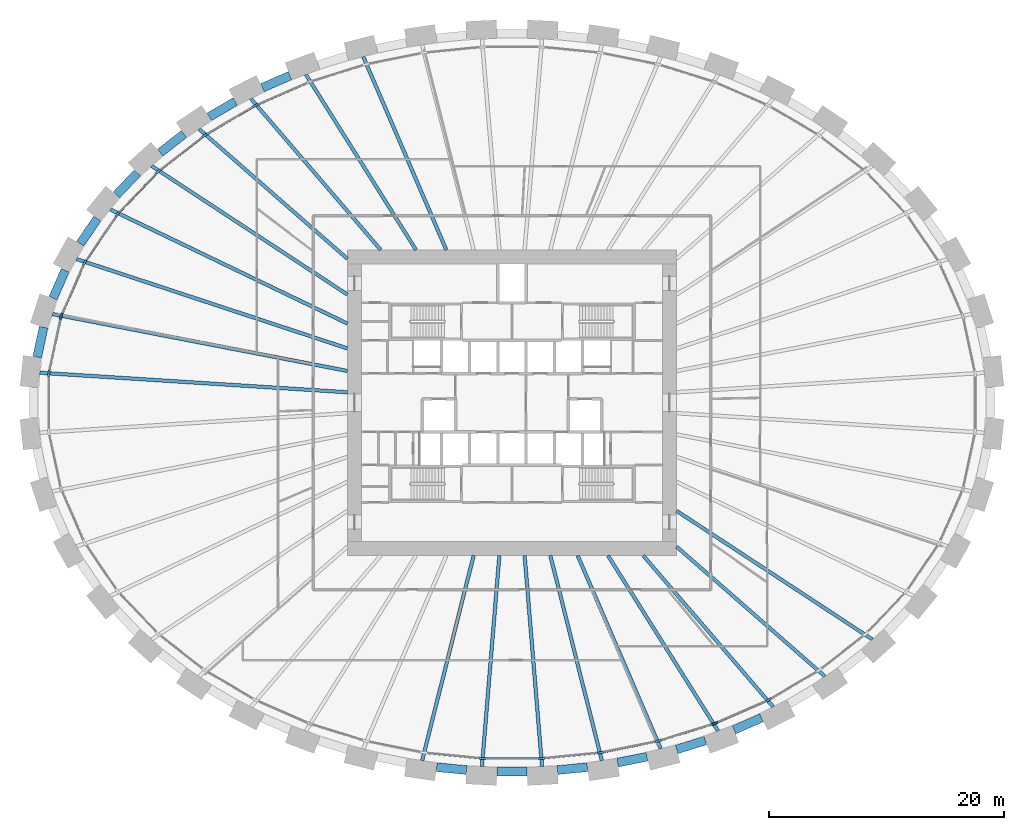
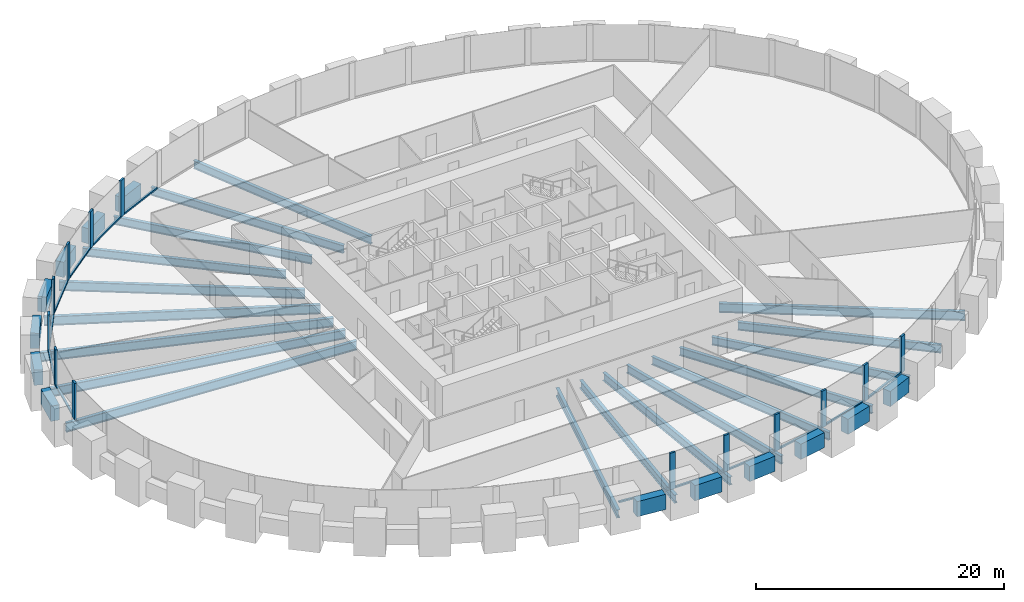
# One storey, part 2 of 10: 31 beams, 26 members, 1 element without a shape of its own.
"""IFC4 building model written with IfcOpenShell, lengths in metres."""

from ifc_helpers import new_model, si_unit, direction, frame, origin, origin_2d, place, context, subcontext, project, spatial, rectangle, i_section, extrude, source, transform, mapped, material, material_profile, profile_set, type_object, element, aggregate, save


model = new_model("IFC4")

# Units and contexts
model_context = context("Model", 3, precision=1e-05, world=origin(), true_north=direction((0.0, 1.0)))
body_context = subcontext(model_context, "Body", "Model", "MODEL_VIEW")
ifc_project = project(units=[si_unit("LENGTHUNIT", "METRE"), si_unit("AREAUNIT", "SQUARE_METRE"), si_unit("VOLUMEUNIT", "CUBIC_METRE"), si_unit("PLANEANGLEUNIT", "RADIAN"), si_unit("MASSUNIT", "GRAM", prefix="KILO")], contexts=[model_context])

# Site, building, storey
site_placement = place(None, origin())
site = spatial("IfcSite", under=ifc_project, at=site_placement, CompositionType="ELEMENT")
building_placement = place(site_placement, origin())
building = spatial("IfcBuilding", under=site, at=building_placement, Name="Embergate Tower", CompositionType="ELEMENT")
storey_placement = place(building_placement, frame((0.0, 0.0, 97.10009765625)))
storey = spatial("IfcBuildingStorey", under=building, at=storey_placement, Name="L20", CompositionType="ELEMENT", Elevation=97.10009765625)

# Beams
ifc_material_1 = material(Name="Concrete C70", Category="concrete")
ifc_material_profile_1 = material_profile(ifc_material_1, rectangle(XDim=0.75, YDim=1.5, at=origin_2d()), Name="RC 750x1500")
ifc_profile_set_1 = profile_set([ifc_material_profile_1], Name="Concrete C70")
beam_type_1 = type_object("IfcBeamType", Name="Spandrel beam RC 750x1500 C70", PredefinedType="BEAM", material=ifc_profile_set_1)
shared_shape_1 = source(origin(), body_context, "Body", "SweptSolid", [
    extrude(rectangle(XDim=0.75, YDim=1.5, at=origin_2d()), origin(), (0.0, 0.0, 1.0), 2.5498046875),
])
beam_1_placement = place(storey_placement, frame((-1.27490234375, -31.373046875, 0.0), z_axis=(1.0, 0.0, 0.0), x_axis=(0.0, 1.0, 0.0)))
element("IfcBeam", 1, at=beam_1_placement, inside=storey, type_object=beam_type_1, Name="SPN-L20-32", PredefinedType="BEAM", context=body_context, shape_type="MappedRepresentation", body=[
    mapped(shared_shape_1, transform((0.0, 0.0, 0.0))),
])
shared_shape_2 = source(origin(), body_context, "Body", "SweptSolid", [
    extrude(rectangle(XDim=0.75, YDim=1.5, at=origin_2d()), origin(), (0.0, 0.0, 1.0), 2.556640625),
])
for number, where, z_axis, x_axis, name in (
    (2, (-18.883056640625, 27.819091796875, 0.0), (-0.91608499415, -0.400984143692, 0.0), (0.400984143692, -0.91608499415, 0.0), "SPN-L20-14"),
    (3, (18.883056640625, -27.819091796875, 0.0), (0.91608499415, 0.400984143692, 0.0), (-0.400984143692, 0.91608499415, 0.0), "SPN-L20-36"),
):
    element("IfcBeam", number, at=place(storey_placement, frame(where, z_axis=z_axis, x_axis=x_axis)), inside=storey, type_object=beam_type_1, Name=name, PredefinedType="BEAM", context=body_context, shape_type="MappedRepresentation", body=[
        mapped(shared_shape_2, transform((0.0, 0.0, 0.0))),
    ])
shared_shape_3 = source(origin(), body_context, "Body", "SweptSolid", [
    extrude(rectangle(XDim=0.75, YDim=1.5, at=origin_2d()), origin(), (0.0, 0.0, 1.0), 2.55517578125),
])
beam_2_placement = place(storey_placement, frame((14.007080078125, -29.487060546875, 0.0), z_axis=(0.954863400913, 0.297045258499, 0.0), x_axis=(-0.297045258499, 0.954863400913, 0.0)))
element("IfcBeam", 4, at=beam_2_placement, inside=storey, type_object=beam_type_1, Name="SPN-L20-35", PredefinedType="BEAM", context=body_context, shape_type="MappedRepresentation", body=[
    mapped(shared_shape_3, transform((0.0, 0.0, 0.0))),
])
shared_shape_4 = source(origin(), body_context, "Body", "SweptSolid", [
    extrude(rectangle(XDim=0.75, YDim=1.5, at=origin_2d()), origin(), (0.0, 0.0, 1.0), 2.593017578125),
])
beam_3_placement = place(storey_placement, frame((-39.8369140625, 6.4169921875, 0.0), z_axis=(-0.210615598697, -0.977568958993, 0.0), x_axis=(0.977568958993, -0.210615598697, 0.0)))
element("IfcBeam", 5, at=beam_3_placement, inside=storey, type_object=beam_type_1, Name="SPN-L20-20", PredefinedType="BEAM", context=body_context, shape_type="MappedRepresentation", body=[
    mapped(shared_shape_4, transform((0.0, 0.0, 0.0))),
])
shared_shape_5 = source(origin(), body_context, "Body", "SweptSolid", [
    extrude(rectangle(XDim=0.75, YDim=1.5, at=origin_2d()), origin(), (0.0, 0.0, 1.0), 2.587646484375),
])
beam_4_placement = place(storey_placement, frame((-37.998046875, 11.260986328125, 0.0), z_axis=(-0.401546272055, -0.915838736568, 0.0), x_axis=(0.915838736568, -0.401546272055, 0.0)))
element("IfcBeam", 6, at=beam_4_placement, inside=storey, type_object=beam_type_1, Name="SPN-L20-19", PredefinedType="BEAM", context=body_context, shape_type="MappedRepresentation", body=[
    mapped(shared_shape_5, transform((0.0, 0.0, 0.0))),
])
shared_shape_6 = source(origin(), body_context, "Body", "SweptSolid", [
    extrude(rectangle(XDim=0.75, YDim=1.5, at=origin_2d()), origin(), (0.0, 0.0, 1.0), 2.5791015625),
])
beam_5_placement = place(storey_placement, frame((-35.27197265625, 15.658935546875, 0.0), z_axis=(-0.562170202136, -0.82702156189, 0.0), x_axis=(0.82702156189, -0.562170202136, 0.0)))
element("IfcBeam", 7, at=beam_5_placement, inside=storey, type_object=beam_type_1, Name="SPN-L20-18", PredefinedType="BEAM", context=body_context, shape_type="MappedRepresentation", body=[
    mapped(shared_shape_6, transform((0.0, 0.0, 0.0))),
])
shared_shape_7 = source(origin(), body_context, "Body", "SweptSolid", [
    extrude(rectangle(XDim=0.75, YDim=1.5, at=origin_2d()), origin(), (0.0, 0.0, 1.0), 2.57373046875),
])
beam_6_placement = place(storey_placement, frame((-31.862060546875, 19.5439453125, 0.0), z_axis=(-0.689972491303, -0.723835589927, 0.0), x_axis=(0.723835589927, -0.689972491303, 0.0)))
element("IfcBeam", 8, at=beam_6_placement, inside=storey, type_object=beam_type_1, Name="SPN-L20-17", PredefinedType="BEAM", context=body_context, shape_type="MappedRepresentation", body=[
    mapped(shared_shape_7, transform((0.0, 0.0, 0.0))),
])
shared_shape_8 = source(origin(), body_context, "Body", "SweptSolid", [
    extrude(rectangle(XDim=0.75, YDim=1.5, at=origin_2d()), origin(), (0.0, 0.0, 1.0), 2.5654296875),
])
beam_7_placement = place(storey_placement, frame((-27.89892578125, 22.85302734375, 0.0), z_axis=(-0.788131123291, -0.615507378103, 0.0), x_axis=(0.615507378103, -0.788131123291, 0.0)))
element("IfcBeam", 9, at=beam_7_placement, inside=storey, type_object=beam_type_1, Name="SPN-L20-16", PredefinedType="BEAM", context=body_context, shape_type="MappedRepresentation", body=[
    mapped(shared_shape_8, transform((0.0, 0.0, 0.0))),
])
shared_shape_9 = source(origin(), body_context, "Body", "SweptSolid", [
    extrude(rectangle(XDim=0.75, YDim=1.5, at=origin_2d()), origin(), (0.0, 0.0, 1.0), 2.561279296875),
])
beam_8_placement = place(storey_placement, frame((-23.541015625, 25.613037109375, 0.0), z_axis=(-0.862059156479, -0.506807666409, 0.0), x_axis=(0.506807666409, -0.862059156479, 0.0)))
element("IfcBeam", 10, at=beam_8_placement, inside=storey, type_object=beam_type_1, Name="SPN-L20-15", PredefinedType="BEAM", context=body_context, shape_type="MappedRepresentation", body=[
    mapped(shared_shape_9, transform((0.0, 0.0, 0.0))),
])
shared_shape_10 = source(origin(), body_context, "Body", "SweptSolid", [
    extrude(rectangle(XDim=0.75, YDim=1.5, at=origin_2d()), origin(), (0.0, 0.0, 1.0), 2.551513671875),
])
beam_9_placement = place(storey_placement, frame((8.98095703125, -30.612060546875, 0.0), z_axis=(0.980536490478, 0.196336931934, 0.0), x_axis=(-0.196336931934, 0.980536490478, 0.0)))
element("IfcBeam", 11, at=beam_9_placement, inside=storey, type_object=beam_type_1, Name="SPN-L20-34", PredefinedType="BEAM", context=body_context, shape_type="MappedRepresentation", body=[
    mapped(shared_shape_10, transform((0.0, 0.0, 0.0))),
])
shared_shape_11 = source(origin(), body_context, "Body", "SweptSolid", [
    extrude(rectangle(XDim=0.75, YDim=1.5, at=origin_2d()), origin(), (0.0, 0.0, 1.0), 2.550048828125),
])
for number, where, z_axis, x_axis, name in (
    (12, (-6.409912109375, -30.99609375, 0.0), (0.995220318417, -0.097655096179, 0.0), (0.097655096179, 0.995220318417, 0.0), "SPN-L20-31"),
    (13, (3.8720703125, -31.2451171875, 0.0), (0.995220318417, 0.097655096179, 0.0), (-0.097655096179, 0.995220318417, 0.0), "SPN-L20-33"),
):
    element("IfcBeam", number, at=place(storey_placement, frame(where, z_axis=z_axis, x_axis=x_axis)), inside=storey, type_object=beam_type_1, Name=name, PredefinedType="BEAM", context=body_context, shape_type="MappedRepresentation", body=[
        mapped(shared_shape_11, transform((0.0, 0.0, 0.0))),
    ])
ifc_material_2 = material(Name="Steel Q355B", Category="steel")
ifc_material_profile_2 = material_profile(ifc_material_2, i_section(OverallWidth=0.300048828125, OverallDepth=0.89990234375, WebThickness=0.01611328125, FlangeThickness=0.028076171875, FilletRadius=0.028076171875, at=origin_2d()), Name="HN 900x300x16x28")
ifc_profile_set_2 = profile_set([ifc_material_profile_2], Name="Steel Q355 grade B")
beam_type_2 = type_object("IfcBeamType", Name="Radial girder HN 900x300x16x28", PredefinedType="BEAM", material=ifc_profile_set_2)
shared_shape_12 = source(origin(), body_context, "Body", "SweptSolid", [
    extrude(i_section(OverallWidth=0.300048828125, OverallDepth=0.89990234375, WebThickness=0.01611328125, FlangeThickness=0.028076171875, FilletRadius=0.028076171875, at=origin_2d()), origin(), (0.0, 0.0, 1.0), 26.2158203125),
])
beam_10_placement = place(storey_placement, frame((-40.1630859375, 2.551025390625, -0.650146484375), z_axis=(0.997988133713, -0.063400985539, 0.0), x_axis=(0.063400985539, 0.997988133713, 0.0)))
element("IfcBeam", 14, at=beam_10_placement, inside=storey, type_object=beam_type_2, Name="GIR-L20-21", PredefinedType="BEAM", context=body_context, shape_type="MappedRepresentation", body=[
    mapped(shared_shape_12, transform((0.0, 0.0, 0.0))),
])
shared_shape_13 = source(origin(), body_context, "Body", "SweptSolid", [
    extrude(i_section(OverallWidth=0.300048828125, OverallDepth=0.89990234375, WebThickness=0.01611328125, FlangeThickness=0.028076171875, FilletRadius=0.028076171875, at=origin_2d()), origin(), (0.0, 0.0, 1.0), 25.5517578125),
])
beam_11_placement = place(storey_placement, frame((-39.089111328125, 7.541015625, -0.650146484375), z_axis=(0.981895532799, -0.189423236878, 0.0), x_axis=(0.189423236878, 0.981895532799, 0.0)))
element("IfcBeam", 15, at=beam_11_placement, inside=storey, type_object=beam_type_2, Name="GIR-L20-20", PredefinedType="BEAM", context=body_context, shape_type="MappedRepresentation", body=[
    mapped(shared_shape_13, transform((0.0, 0.0, 0.0))),
])
shared_shape_14 = source(origin(), body_context, "Body", "SweptSolid", [
    extrude(i_section(OverallWidth=0.300048828125, OverallDepth=0.89990234375, WebThickness=0.01611328125, FlangeThickness=0.028076171875, FilletRadius=0.028076171875, at=origin_2d()), origin(), (0.0, 0.0, 1.0), 24.259521484375),
])
beam_12_placement = place(storey_placement, frame((-37.0390625, 12.215087890625, -0.650146484375), z_axis=(0.949686852887, -0.313201024029, 0.0), x_axis=(0.313201024029, 0.949686852887, 0.0)))
element("IfcBeam", 16, at=beam_12_placement, inside=storey, type_object=beam_type_2, Name="GIR-L20-19", PredefinedType="BEAM", context=body_context, shape_type="MappedRepresentation", body=[
    mapped(shared_shape_14, transform((0.0, 0.0, 0.0))),
])
shared_shape_15 = source(origin(), body_context, "Body", "SweptSolid", [
    extrude(i_section(OverallWidth=0.300048828125, OverallDepth=0.89990234375, WebThickness=0.01611328125, FlangeThickness=0.028076171875, FilletRadius=0.028076171875, at=origin_2d()), origin(), (0.0, 0.0, 1.0), 22.381103515625),
])
beam_13_placement = place(storey_placement, frame((-34.1689453125, 16.43701171875, -0.650146484375), z_axis=(0.901159999326, -0.4334866268, 0.0), x_axis=(0.4334866268, 0.901159999326, 0.0)))
element("IfcBeam", 17, at=beam_13_placement, inside=storey, type_object=beam_type_2, Name="GIR-L20-18", PredefinedType="BEAM", context=body_context, shape_type="MappedRepresentation", body=[
    mapped(shared_shape_15, transform((0.0, 0.0, 0.0))),
])
shared_shape_16 = source(origin(), body_context, "Body", "SweptSolid", [
    extrude(i_section(OverallWidth=0.300048828125, OverallDepth=0.89990234375, WebThickness=0.01611328125, FlangeThickness=0.028076171875, FilletRadius=0.028076171875, at=origin_2d()), origin(), (0.0, 0.0, 1.0), 19.9140625),
])
for number, where, z_axis, x_axis, name in (
    (18, (-30.64306640625, 20.133056640625, -0.650146484375), (0.835747275066, -0.549114279745, 0.0), (0.549114279745, 0.835747275066, 0.0), "GIR-L20-17"),
    (19, (30.64306640625, -20.133056640625, -0.650146484375), (-0.835747275066, 0.549114279745, 0.0), (-0.549114279745, -0.835747275066, 0.0), "GIR-L20-39"),
):
    element("IfcBeam", number, at=place(storey_placement, frame(where, z_axis=z_axis, x_axis=x_axis)), inside=storey, type_object=beam_type_2, Name=name, PredefinedType="BEAM", context=body_context, shape_type="MappedRepresentation", body=[
        mapped(shared_shape_16, transform((0.0, 0.0, 0.0))),
    ])
ifc_material_profile_3 = material_profile(ifc_material_2, i_section(OverallWidth=0.300048828125, OverallDepth=0.800048828125, WebThickness=0.013916015625, FlangeThickness=0.02587890625, FilletRadius=0.028076171875, at=origin_2d()), Name="HN 800x300x14x26")
ifc_profile_set_3 = profile_set([ifc_material_profile_3], Name="Steel Q355 grade B")
beam_type_3 = type_object("IfcBeamType", Name="Radial girder HN 800x300x14x26", PredefinedType="BEAM", material=ifc_profile_set_3)
shared_shape_17 = source(origin(), body_context, "Body", "SweptSolid", [
    extrude(i_section(OverallWidth=0.300048828125, OverallDepth=0.800048828125, WebThickness=0.013916015625, FlangeThickness=0.02587890625, FilletRadius=0.028076171875, at=origin_2d()), origin(), (0.0, 0.0, 1.0), 16.76123046875),
])
for number, where, z_axis, x_axis, name in (
    (20, (-26.616943359375, 23.277099609375, -0.60009765625), (0.752743596645, -0.658313814005, 0.0), (0.658313814005, 0.752743596645, 0.0), "GIR-L20-16"),
    (21, (26.616943359375, -23.277099609375, -0.60009765625), (-0.752743596645, 0.658313814005, 0.0), (-0.658313814005, -0.752743596645, 0.0), "GIR-L20-38"),
):
    element("IfcBeam", number, at=place(storey_placement, frame(where, z_axis=z_axis, x_axis=x_axis)), inside=storey, type_object=beam_type_3, Name=name, PredefinedType="BEAM", context=body_context, shape_type="MappedRepresentation", body=[
        mapped(shared_shape_17, transform((0.0, 0.0, 0.0))),
    ])
shared_shape_18 = source(origin(), body_context, "Body", "SweptSolid", [
    extrude(i_section(OverallWidth=0.300048828125, OverallDepth=0.800048828125, WebThickness=0.013916015625, FlangeThickness=0.02587890625, FilletRadius=0.028076171875, at=origin_2d()), origin(), (0.0, 0.0, 1.0), 16.958984375),
])
for number, where, z_axis, x_axis, name in (
    (22, (-22.2119140625, 25.865966796875, -0.60009765625), (0.651500044605, -0.75864859578, 0.0), (0.75864859578, 0.651500044605, 0.0), "GIR-L20-15"),
    (23, (22.2119140625, -25.865966796875, -0.60009765625), (-0.651500044605, 0.75864859578, 0.0), (-0.75864859578, -0.651500044605, 0.0), "GIR-L20-37"),
):
    element("IfcBeam", number, at=place(storey_placement, frame(where, z_axis=z_axis, x_axis=x_axis)), inside=storey, type_object=beam_type_3, Name=name, PredefinedType="BEAM", context=body_context, shape_type="MappedRepresentation", body=[
        mapped(shared_shape_18, transform((0.0, 0.0, 0.0))),
    ])
shared_shape_19 = source(origin(), body_context, "Body", "SweptSolid", [
    extrude(i_section(OverallWidth=0.300048828125, OverallDepth=0.800048828125, WebThickness=0.013916015625, FlangeThickness=0.02587890625, FilletRadius=0.028076171875, at=origin_2d()), origin(), (0.0, 0.0, 1.0), 17.611083984375),
])
for number, where, z_axis, x_axis, name in (
    (24, (-17.531005859375, 27.9140625, -0.60009765625), (0.531822007443, -0.846856158034, 0.0), (0.846856158034, 0.531822007443, 0.0), "GIR-L20-14"),
    (25, (17.531005859375, -27.9140625, -0.60009765625), (-0.531822007443, 0.846856158034, 0.0), (-0.846856158034, -0.531822007443, 0.0), "GIR-L20-36"),
):
    element("IfcBeam", number, at=place(storey_placement, frame(where, z_axis=z_axis, x_axis=x_axis)), inside=storey, type_object=beam_type_3, Name=name, PredefinedType="BEAM", context=body_context, shape_type="MappedRepresentation", body=[
        mapped(shared_shape_19, transform((0.0, 0.0, 0.0))),
    ])
shared_shape_20 = source(origin(), body_context, "Body", "SweptSolid", [
    extrude(i_section(OverallWidth=0.300048828125, OverallDepth=0.800048828125, WebThickness=0.013916015625, FlangeThickness=0.02587890625, FilletRadius=0.028076171875, at=origin_2d()), origin(), (0.0, 0.0, 1.0), 17.88720703125),
])
for number, where, z_axis, x_axis, name in (
    (26, (-12.652099609375, 29.43310546875, -0.60009765625), (0.394932140267, -0.918710294154, 0.0), (0.918710294154, 0.394932140267, 0.0), "GIR-L20-13"),
    (27, (12.652099609375, -29.43310546875, -0.60009765625), (-0.394932140267, 0.918710294154, 0.0), (-0.918710294154, -0.394932140267, 0.0), "GIR-L20-35"),
):
    element("IfcBeam", number, at=place(storey_placement, frame(where, z_axis=z_axis, x_axis=x_axis)), inside=storey, type_object=beam_type_3, Name=name, PredefinedType="BEAM", context=body_context, shape_type="MappedRepresentation", body=[
        mapped(shared_shape_20, transform((0.0, 0.0, 0.0))),
    ])
shared_shape_21 = source(origin(), body_context, "Body", "SweptSolid", [
    extrude(i_section(OverallWidth=0.300048828125, OverallDepth=0.800048828125, WebThickness=0.013916015625, FlangeThickness=0.02587890625, FilletRadius=0.028076171875, at=origin_2d()), origin(), (0.0, 0.0, 1.0), 17.97802734375),
])
for number, where, z_axis, x_axis, name in (
    (28, (-7.64111328125, -30.43701171875, -0.60009765625), (0.243474924344, 0.969907192063, 0.0), (-0.969907192063, 0.243474924344, 0.0), "GIR-L20-31"),
    (29, (7.64111328125, -30.43701171875, -0.60009765625), (-0.243474924344, 0.969907192063, 0.0), (-0.969907192063, -0.243474924344, 0.0), "GIR-L20-34"),
):
    element("IfcBeam", number, at=place(storey_placement, frame(where, z_axis=z_axis, x_axis=x_axis)), inside=storey, type_object=beam_type_3, Name=name, PredefinedType="BEAM", context=body_context, shape_type="MappedRepresentation", body=[
        mapped(shared_shape_21, transform((0.0, 0.0, 0.0))),
    ])
shared_shape_22 = source(origin(), body_context, "Body", "SweptSolid", [
    extrude(i_section(OverallWidth=0.300048828125, OverallDepth=0.800048828125, WebThickness=0.013916015625, FlangeThickness=0.02587890625, FilletRadius=0.028076171875, at=origin_2d()), origin(), (0.0, 0.0, 1.0), 17.9990234375),
])
for number, where, z_axis, x_axis, name in (
    (30, (-2.554931640625, -30.93798828125, -0.60009765625), (0.08227987839, 0.996609262255, 0.0), (-0.996609262255, 0.08227987839, 0.0), "GIR-L20-32"),
    (31, (2.554931640625, -30.93798828125, -0.60009765625), (-0.08227987839, 0.996609262255, 0.0), (-0.996609262255, -0.08227987839, 0.0), "GIR-L20-33"),
):
    element("IfcBeam", number, at=place(storey_placement, frame(where, z_axis=z_axis, x_axis=x_axis)), inside=storey, type_object=beam_type_3, Name=name, PredefinedType="BEAM", context=body_context, shape_type="MappedRepresentation", body=[
        mapped(shared_shape_22, transform((0.0, 0.0, 0.0))),
    ])

# Curtain wall, members
ifc_material_3 = material(Name="Aluminium and glass", Category="aluminium")
curtain_wall_type = type_object("IfcCurtainWallType", Name="Recessed office glazing", PredefinedType="NOTDEFINED", material=ifc_material_3)
curtain_wall_placement = place(storey_placement, origin())
curtain_wall = element("IfcCurtainWall", 32, at=curtain_wall_placement, inside=storey, type_object=curtain_wall_type, Name="Recessed office glazing ring", ObjectType="RECESSED OFFICE GLAZING", PredefinedType="USERDEFINED")
ifc_material_4 = material(Name="Aluminium, thermally broken", Category="aluminium")
ifc_material_profile_4 = material_profile(ifc_material_4, rectangle(XDim=0.179931640625, YDim=0.14990234375, at=origin_2d()), Name="AL 150x180")
ifc_profile_set_4 = profile_set([ifc_material_profile_4], Name="Aluminium, thermally broken")
member_type_1 = type_object("IfcMemberType", Name="Office sill transom", PredefinedType="USERDEFINED", material=ifc_profile_set_4)
shared_shape_23 = source(origin(), body_context, "Body", "SweptSolid", [
    extrude(rectangle(XDim=0.179931640625, YDim=0.14990234375, at=origin_2d()), origin(), (0.0, 0.0, 1.0), 4.45361328125),
])
member_1_placement = place(storey_placement, frame((-38.402099609375, 7.09375, 0.074951171875), z_axis=(-0.210390045313, -0.977617526865, 0.0), x_axis=(0.977617526865, -0.210390045313, 0.0)))
member_1 = element("IfcMember", 33, at=member_1_placement, type_object=member_type_1, Name="CW transom 21.1", ObjectType="TRANSOM", PredefinedType="USERDEFINED", context=body_context, shape_type="MappedRepresentation", body=[
    mapped(shared_shape_23, transform((0.0, 0.0, 0.0))),
])
shared_shape_24 = source(origin(), body_context, "Body", "SweptSolid", [
    extrude(rectangle(XDim=0.179931640625, YDim=0.14990234375, at=origin_2d()), origin(), (0.0, 0.0, 1.0), 4.460693359375),
])
member_2_placement = place(storey_placement, frame((-36.451416015625, 11.67138671875, 0.074951171875), z_axis=(-0.401613983085, -0.915809045921, 0.0), x_axis=(0.915809045921, -0.401613983085, 0.0)))
member_2 = element("IfcMember", 34, at=member_2_placement, type_object=member_type_1, Name="CW transom 20.1", ObjectType="TRANSOM", PredefinedType="USERDEFINED", context=body_context, shape_type="MappedRepresentation", body=[
    mapped(shared_shape_24, transform((0.0, 0.0, 0.0))),
])
shared_shape_25 = source(origin(), body_context, "Body", "SweptSolid", [
    extrude(rectangle(XDim=0.179931640625, YDim=0.14990234375, at=origin_2d()), origin(), (0.0, 0.0, 1.0), 4.4697265625),
])
member_3_placement = place(storey_placement, frame((-33.687255859375, 15.820556640625, 0.074951171875), z_axis=(-0.562327949545, -0.826914310652, 0.0), x_axis=(0.826914310652, -0.562327949545, 0.0)))
member_3 = element("IfcMember", 35, at=member_3_placement, type_object=member_type_1, Name="CW transom 19.1", ObjectType="TRANSOM", PredefinedType="USERDEFINED", context=body_context, shape_type="MappedRepresentation", body=[
    mapped(shared_shape_25, transform((0.0, 0.0, 0.0))),
])
shared_shape_26 = source(origin(), body_context, "Body", "SweptSolid", [
    extrude(rectangle(XDim=0.179931640625, YDim=0.14990234375, at=origin_2d()), origin(), (0.0, 0.0, 1.0), 4.478515625),
])
member_4_placement = place(storey_placement, frame((-30.270751953125, 19.464599609375, 0.074951171875), z_axis=(-0.690145055563, -0.723671059447, 0.0), x_axis=(0.723671059447, -0.690145055563, 0.0)))
member_4 = element("IfcMember", 36, at=member_4_placement, type_object=member_type_1, Name="CW transom 18.1", ObjectType="TRANSOM", PredefinedType="USERDEFINED", context=body_context, shape_type="MappedRepresentation", body=[
    mapped(shared_shape_26, transform((0.0, 0.0, 0.0))),
])
shared_shape_27 = source(origin(), body_context, "Body", "SweptSolid", [
    extrude(rectangle(XDim=0.179931640625, YDim=0.14990234375, at=origin_2d()), origin(), (0.0, 0.0, 1.0), 4.486083984375),
])
member_5_placement = place(storey_placement, frame((-26.35009765625, 22.572998046875, 0.074951171875), z_axis=(-0.78829904423, -0.615292301972, 0.0), x_axis=(0.615292301972, -0.78829904423, 0.0)))
member_5 = element("IfcMember", 37, at=member_5_placement, type_object=member_type_1, Name="CW transom 17.1", ObjectType="TRANSOM", PredefinedType="USERDEFINED", context=body_context, shape_type="MappedRepresentation", body=[
    mapped(shared_shape_27, transform((0.0, 0.0, 0.0))),
])
shared_shape_28 = source(origin(), body_context, "Body", "SweptSolid", [
    extrude(rectangle(XDim=0.179931640625, YDim=0.14990234375, at=origin_2d()), origin(), (0.0, 0.0, 1.0), 4.491943359375),
])
member_6_placement = place(storey_placement, frame((-22.048583984375, 25.141357421875, 0.074951171875), z_axis=(-0.8620529522, -0.506818219486, 0.0), x_axis=(0.506818219486, -0.8620529522, 0.0)))
member_6 = element("IfcMember", 38, at=member_6_placement, type_object=member_type_1, Name="CW transom 16.1", ObjectType="TRANSOM", PredefinedType="USERDEFINED", context=body_context, shape_type="MappedRepresentation", body=[
    mapped(shared_shape_28, transform((0.0, 0.0, 0.0))),
])
shared_shape_29 = source(origin(), body_context, "Body", "SweptSolid", [
    extrude(rectangle(XDim=0.179931640625, YDim=0.14990234375, at=origin_2d()), origin(), (0.0, 0.0, 1.0), 4.49658203125),
])
member_7_placement = place(storey_placement, frame((-17.46630859375, 27.178955078125, 0.074951171875), z_axis=(-0.9162134002, -0.400690660354, 0.0), x_axis=(0.400690660354, -0.9162134002, 0.0)))
member_7 = element("IfcMember", 39, at=member_7_placement, type_object=member_type_1, Name="CW transom 15.1", ObjectType="TRANSOM", PredefinedType="USERDEFINED", context=body_context, shape_type="MappedRepresentation", body=[
    mapped(shared_shape_29, transform((0.0, 0.0, 0.0))),
])
member_8_placement = place(storey_placement, frame((17.46630859375, -27.178955078125, 0.074951171875), z_axis=(0.9162134002, 0.400690660354, 0.0), x_axis=(-0.400690660354, 0.9162134002, 0.0)))
member_8 = element("IfcMember", 40, at=member_8_placement, type_object=member_type_1, Name="CW transom 37.1", ObjectType="TRANSOM", PredefinedType="USERDEFINED", context=body_context, shape_type="MappedRepresentation", body=[
    mapped(shared_shape_29, transform((0.0, 0.0, 0.0))),
])
shared_shape_30 = source(origin(), body_context, "Body", "SweptSolid", [
    extrude(rectangle(XDim=0.179931640625, YDim=0.14990234375, at=origin_2d()), origin(), (0.0, 0.0, 1.0), 4.5),
])
member_9_placement = place(storey_placement, frame((12.68359375, -28.698486328125, 0.074951171875), z_axis=(0.954763366225, 0.297366633156, 0.0), x_axis=(-0.297366633156, 0.954763366225, 0.0)))
member_9 = element("IfcMember", 41, at=member_9_placement, type_object=member_type_1, Name="CW transom 36.1", ObjectType="TRANSOM", PredefinedType="USERDEFINED", context=body_context, shape_type="MappedRepresentation", body=[
    mapped(shared_shape_30, transform((0.0, 0.0, 0.0))),
])
shared_shape_31 = source(origin(), body_context, "Body", "SweptSolid", [
    extrude(rectangle(XDim=0.179931640625, YDim=0.14990234375, at=origin_2d()), origin(), (0.0, 0.0, 1.0), 4.502197265625),
])
member_10_placement = place(storey_placement, frame((7.76611328125, -29.712158203125, 0.074951171875), z_axis=(0.980478345518, 0.196627093681, 0.0), x_axis=(-0.196627093681, 0.980478345518, 0.0)))
member_10 = element("IfcMember", 42, at=member_10_placement, type_object=member_type_1, Name="CW transom 35.1", ObjectType="TRANSOM", PredefinedType="USERDEFINED", context=body_context, shape_type="MappedRepresentation", body=[
    mapped(shared_shape_31, transform((0.0, 0.0, 0.0))),
])
shared_shape_32 = source(origin(), body_context, "Body", "SweptSolid", [
    extrude(rectangle(XDim=0.179931640625, YDim=0.14990234375, at=origin_2d()), origin(), (0.0, 0.0, 1.0), 4.503173828125),
])
member_11_placement = place(storey_placement, frame((-7.25244140625, -29.788818359375, 0.074951171875), z_axis=(0.995205892048, -0.097802006279, 0.0), x_axis=(0.097802006279, 0.995205892048, 0.0)))
member_11 = element("IfcMember", 43, at=member_11_placement, type_object=member_type_1, Name="CW transom 32.1", ObjectType="TRANSOM", PredefinedType="USERDEFINED", context=body_context, shape_type="MappedRepresentation", body=[
    mapped(shared_shape_32, transform((0.0, 0.0, 0.0))),
])
member_12_placement = place(storey_placement, frame((2.770751953125, -30.229248046875, 0.074951171875), z_axis=(0.995205892048, 0.097802006279, 0.0), x_axis=(-0.097802006279, 0.995205892048, 0.0)))
member_12 = element("IfcMember", 44, at=member_12_placement, type_object=member_type_1, Name="CW transom 34.1", ObjectType="TRANSOM", PredefinedType="USERDEFINED", context=body_context, shape_type="MappedRepresentation", body=[
    mapped(shared_shape_32, transform((0.0, 0.0, 0.0))),
])
shared_shape_33 = source(origin(), body_context, "Body", "SweptSolid", [
    extrude(rectangle(XDim=0.179931640625, YDim=0.14990234375, at=origin_2d()), origin(), (0.0, 0.0, 1.0), 4.50390625),
])
member_13_placement = place(storey_placement, frame((-2.251953125, -30.254638671875, 0.074951171875), z_axis=(1.0, 0.0, 0.0), x_axis=(0.0, 1.0, 0.0)))
member_13 = element("IfcMember", 45, at=member_13_placement, type_object=member_type_1, Name="CW transom 33.1", ObjectType="TRANSOM", PredefinedType="USERDEFINED", context=body_context, shape_type="MappedRepresentation", body=[
    mapped(shared_shape_33, transform((0.0, 0.0, 0.0))),
])
ifc_material_profile_5 = material_profile(ifc_material_4, rectangle(XDim=0.179931640625, YDim=0.52001953125, at=origin_2d()), Name="AL 520x180")
ifc_profile_set_5 = profile_set([ifc_material_profile_5], Name="Aluminium, thermally broken")
member_type_2 = type_object("IfcMemberType", Name="Office mullion", PredefinedType="MULLION", material=ifc_profile_set_5)
shared_shape_34 = source(origin(), body_context, "Body", "SweptSolid", [
    extrude(rectangle(XDim=0.179931640625, YDim=0.52001953125, at=origin_2d()), origin(), (0.0, 0.0, 1.0), 3.599853515625),
])
member_14_placement = place(storey_placement, frame((-21.824462890625, 25.273193359375, 0.0), z_axis=(0.0, 0.0, 1.0), x_axis=(0.454520708319, -0.890736170653, 0.0)))
member_14 = element("IfcMember", 46, at=member_14_placement, type_object=member_type_2, Name="CW mullion 16", PredefinedType="MULLION", context=body_context, shape_type="MappedRepresentation", body=[
    mapped(shared_shape_34, transform((0.0, 0.0, 0.0))),
])
member_15_placement = place(storey_placement, frame((-26.14501953125, 22.73291015625, 0.0), z_axis=(0.0, 0.0, 1.0), x_axis=(0.562229165438, -0.826981478348, 0.0)))
member_15 = element("IfcMember", 47, at=member_15_placement, type_object=member_type_2, Name="CW mullion 17", PredefinedType="MULLION", context=body_context, shape_type="MappedRepresentation", body=[
    mapped(shared_shape_34, transform((0.0, 0.0, 0.0))),
])
member_16_placement = place(storey_placement, frame((-30.09130859375, 19.65283203125, 0.0), z_axis=(0.0, 0.0, 1.0), x_axis=(0.671239471147, -0.741240563093, 0.0)))
member_16 = element("IfcMember", 48, at=member_16_placement, type_object=member_type_2, Name="CW mullion 18", PredefinedType="MULLION", context=body_context, shape_type="MappedRepresentation", body=[
    mapped(shared_shape_34, transform((0.0, 0.0, 0.0))),
])
member_17_placement = place(storey_placement, frame((-33.541015625, 16.035400390625, 0.0), z_axis=(0.0, 0.0, 1.0), x_axis=(0.777883532271, -0.628408474022, 0.0)))
member_17 = element("IfcMember", 49, at=member_17_placement, type_object=member_type_2, Name="CW mullion 19", PredefinedType="MULLION", context=body_context, shape_type="MappedRepresentation", body=[
    mapped(shared_shape_34, transform((0.0, 0.0, 0.0))),
])
member_18_placement = place(storey_placement, frame((-36.3466796875, 11.909423828125, 0.0), z_axis=(0.0, 0.0, 1.0), x_axis=(0.875010345178, -0.48410422001, 0.0)))
member_18 = element("IfcMember", 50, at=member_18_placement, type_object=member_type_2, Name="CW mullion 20", PredefinedType="MULLION", context=body_context, shape_type="MappedRepresentation", body=[
    mapped(shared_shape_34, transform((0.0, 0.0, 0.0))),
])
member_19_placement = place(storey_placement, frame((-38.347412109375, 7.347900390625, 0.0), z_axis=(0.0, 0.0, 1.0), x_axis=(0.951502093582, -0.307642269381, 0.0)))
member_19 = element("IfcMember", 51, at=member_19_placement, type_object=member_type_2, Name="CW mullion 21", PredefinedType="MULLION", context=body_context, shape_type="MappedRepresentation", body=[
    mapped(shared_shape_34, transform((0.0, 0.0, 0.0))),
])
member_20_placement = place(storey_placement, frame((-39.393798828125, 2.485595703125, 0.0), z_axis=(0.0, 0.0, 1.0), x_axis=(0.994385508811, -0.105818050756, 0.0)))
member_20 = element("IfcMember", 52, at=member_20_placement, type_object=member_type_2, Name="CW mullion 22", PredefinedType="MULLION", context=body_context, shape_type="MappedRepresentation", body=[
    mapped(shared_shape_34, transform((0.0, 0.0, 0.0))),
])
member_21_placement = place(storey_placement, frame((-2.511962890625, -30.254638671875, 0.0), z_axis=(0.0, 0.0, 1.0), x_axis=(0.048971796621, 0.998800161762, 0.0)))
member_21 = element("IfcMember", 53, at=member_21_placement, type_object=member_type_2, Name="CW mullion 33", PredefinedType="MULLION", context=body_context, shape_type="MappedRepresentation", body=[
    mapped(shared_shape_34, transform((0.0, 0.0, 0.0))),
])
member_22_placement = place(storey_placement, frame((2.511962890625, -30.254638671875, 0.0), z_axis=(0.0, 0.0, 1.0), x_axis=(-0.048971796621, 0.998800161762, 0.0)))
member_22 = element("IfcMember", 54, at=member_22_placement, type_object=member_type_2, Name="CW mullion 34", PredefinedType="MULLION", context=body_context, shape_type="MappedRepresentation", body=[
    mapped(shared_shape_34, transform((0.0, 0.0, 0.0))),
])
member_23_placement = place(storey_placement, frame((7.51123046875, -29.76318359375, 0.0), z_axis=(0.0, 0.0, 1.0), x_axis=(-0.147415835341, 0.989074603602, 0.0)))
member_23 = element("IfcMember", 55, at=member_23_placement, type_object=member_type_2, Name="CW mullion 35", PredefinedType="MULLION", context=body_context, shape_type="MappedRepresentation", body=[
    mapped(shared_shape_34, transform((0.0, 0.0, 0.0))),
])
member_24_placement = place(storey_placement, frame((12.435302734375, -28.775634765625, 0.0), z_axis=(0.0, 0.0, 1.0), x_axis=(-0.247318645812, 0.968934201808, 0.0)))
member_24 = element("IfcMember", 56, at=member_24_placement, type_object=member_type_2, Name="CW mullion 36", PredefinedType="MULLION", context=body_context, shape_type="MappedRepresentation", body=[
    mapped(shared_shape_34, transform((0.0, 0.0, 0.0))),
])
member_25_placement = place(storey_placement, frame((17.22802734375, -27.282958984375, 0.0), z_axis=(0.0, 0.0, 1.0), x_axis=(-0.349510859141, 0.936932313106, 0.0)))
member_25 = element("IfcMember", 57, at=member_25_placement, type_object=member_type_2, Name="CW mullion 37", PredefinedType="MULLION", context=body_context, shape_type="MappedRepresentation", body=[
    mapped(shared_shape_34, transform((0.0, 0.0, 0.0))),
])
member_26_placement = place(storey_placement, frame((21.824462890625, -25.273193359375, 0.0), z_axis=(0.0, 0.0, 1.0), x_axis=(-0.454520708319, 0.890736170653, 0.0)))
member_26 = element("IfcMember", 58, at=member_26_placement, type_object=member_type_2, Name="CW mullion 38", PredefinedType="MULLION", context=body_context, shape_type="MappedRepresentation", body=[
    mapped(shared_shape_34, transform((0.0, 0.0, 0.0))),
])
aggregate(curtain_wall, [member_14, member_15, member_16, member_17, member_18, member_19, member_20, member_21, member_22, member_23, member_24, member_25, member_26, member_7, member_6, member_5, member_4, member_3, member_2, member_1, member_11, member_13, member_12, member_10, member_9, member_8])

save(model, "model.ifc")
